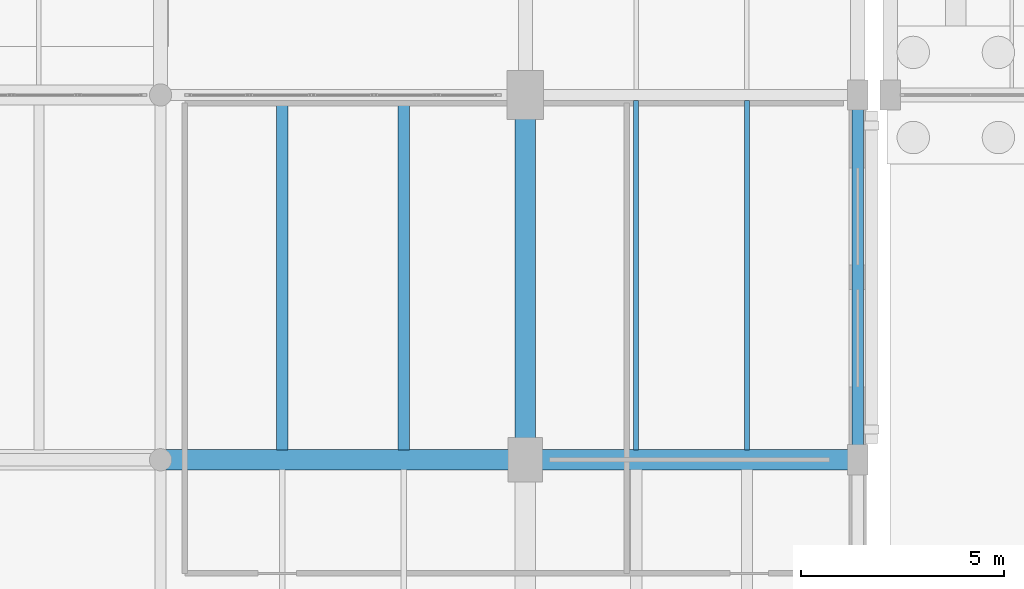
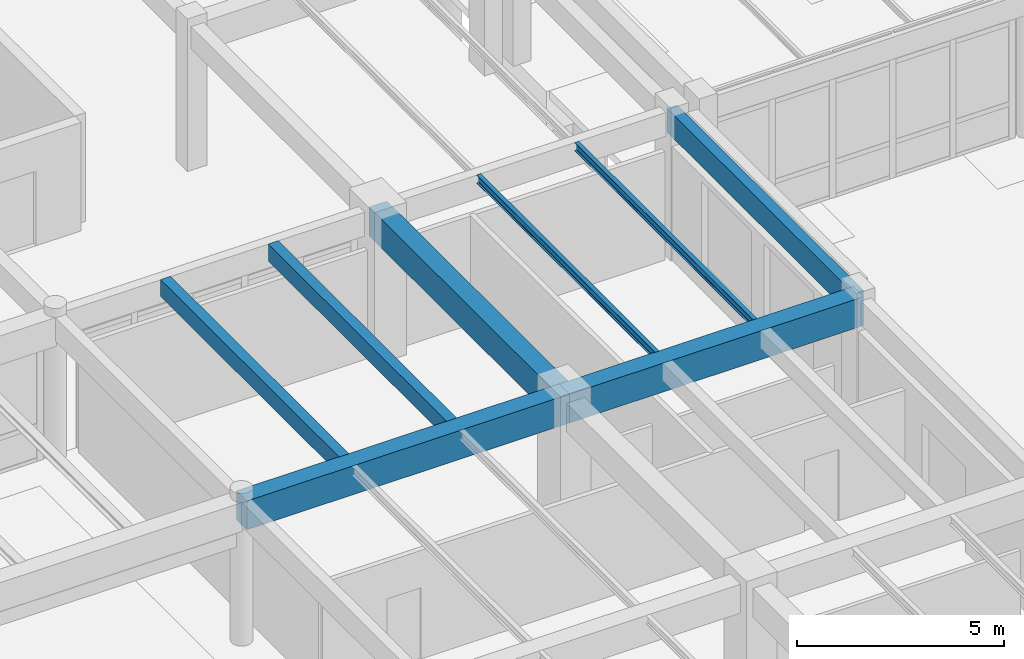
# One storey, part 88 of 186: 8 beams.
"""IFC4 building model written with IfcOpenShell, lengths in metres."""

from ifc_helpers import new_model, si_unit, direction, frame, origin, origin_2d, place, context, subcontext, project, spatial, rectangle, i_section, extrude, material, material_profile, profile_set, type_object, element, save


model = new_model("IFC4")

# Units and contexts
model_context = context("Model", 3, precision=1e-05, world=origin(), true_north=direction((0.0, 1.0)))
body_context = subcontext(model_context, "Body", "Model", "MODEL_VIEW")
ifc_project = project(units=[si_unit("LENGTHUNIT", "METRE"), si_unit("AREAUNIT", "SQUARE_METRE"), si_unit("VOLUMEUNIT", "CUBIC_METRE"), si_unit("PLANEANGLEUNIT", "RADIAN"), si_unit("MASSUNIT", "GRAM", prefix="KILO")], contexts=[model_context])

# Site, building, storey
site_placement = place(None, origin())
site = spatial("IfcSite", under=ifc_project, at=site_placement, CompositionType="ELEMENT")
building_placement = place(site_placement, origin())
building = spatial("IfcBuilding", under=site, at=building_placement, Name="Ornek Quay Market", CompositionType="ELEMENT")
storey_placement = place(building_placement, origin())
storey = spatial("IfcBuildingStorey", under=building, at=storey_placement, Name="L00", CompositionType="ELEMENT", Elevation=0.0)

# Beams
ifc_material_1 = material(Name="Concrete C40/50", Category="concrete")
ifc_material_profile_1 = material_profile(ifc_material_1, rectangle(XDim=0.5, YDim=0.85009765625, at=origin_2d()), Name="RC 500x850", Category="concrete")
ifc_profile_set_1 = profile_set([ifc_material_profile_1], Name="Concrete C40/50")
beam_type_1 = type_object("IfcBeamType", Name="BM-GAL-500x850", PredefinedType="BEAM", material=ifc_profile_set_1)
beam_1_placement = place(storey_placement, frame((108.0, 83.0, 3.81494140625), z_axis=(1.0, 0.0, 0.0), x_axis=(0.0, 1.0, 0.0)))
element("IfcBeam", 1, at=beam_1_placement, inside=storey, type_object=beam_type_1, Name="Primary beam B-GL1-038", PredefinedType="BEAM", context=body_context, shape_type="SweptSolid", body=[
    extrude(rectangle(XDim=0.5, YDim=0.85009765625, at=origin_2d()), origin(), (0.0, 0.0, 1.0), 9.0),
])
beam_2_placement = place(storey_placement, frame((117.0, 83.0, 3.81494140625), z_axis=(1.0, 0.0, 0.0), x_axis=(0.0, 1.0, 0.0)))
element("IfcBeam", 2, at=beam_2_placement, inside=storey, type_object=beam_type_1, Name="Primary beam B-GL1-039", PredefinedType="BEAM", context=body_context, shape_type="SweptSolid", body=[
    extrude(rectangle(XDim=0.5, YDim=0.85009765625, at=origin_2d()), origin(), (0.0, 0.0, 1.0), 8.199951171875),
])
beam_3_placement = place(storey_placement, frame((117.0, 83.0, 3.81494140625), z_axis=(0.0, 1.0, 0.0), x_axis=(-1.0, 0.0, 0.0)))
element("IfcBeam", 3, at=beam_3_placement, inside=storey, type_object=beam_type_1, Name="Primary beam B-GL1-046", PredefinedType="BEAM", context=body_context, shape_type="SweptSolid", body=[
    extrude(rectangle(XDim=0.5, YDim=0.85009765625, at=origin_2d()), origin(), (0.0, 0.0, 1.0), 9.0),
])
ifc_material_2 = material(Name="Concrete C35/45", Category="concrete")
ifc_material_profile_2 = material_profile(ifc_material_2, rectangle(XDim=0.280029296875, YDim=0.5, at=origin_2d()), Name="RC 280x500", Category="concrete")
ifc_profile_set_2 = profile_set([ifc_material_profile_2], Name="Concrete C35/45")
beam_type_2 = type_object("IfcBeamType", Name="BM-SEC-280x500", PredefinedType="JOIST", material=ifc_profile_set_2)
for number, where, z_axis, x_axis, name in (
    (4, (111.0, 83.241943359375, 3.989990234375), (0.0, 1.0, 0.0), (-1.0, 0.0, 0.0), "Secondary joist B-SC2-051"),
    (5, (114.0, 83.241943359375, 3.989990234375), (0.0, 1.0, 0.0), (-1.0, 0.0, 0.0), "Secondary joist B-SC2-052"),
):
    element("IfcBeam", number, at=place(storey_placement, frame(where, z_axis=z_axis, x_axis=x_axis)), inside=storey, type_object=beam_type_2, Name=name, PredefinedType="JOIST", context=body_context, shape_type="SweptSolid", body=[
        extrude(rectangle(XDim=0.280029296875, YDim=0.5, at=origin_2d()), origin(), (0.0, 0.0, 1.0), 8.6259765625),
    ])
ifc_material_profile_3 = material_profile(ifc_material_2, rectangle(XDim=0.280029296875, YDim=0.699951171875, at=origin_2d()), Name="RC 280x700", Category="concrete")
ifc_profile_set_3 = profile_set([ifc_material_profile_3], Name="Concrete C35/45")
beam_type_3 = type_object("IfcBeamType", Name="BM-SPN-280x700", PredefinedType="SPANDREL", material=ifc_profile_set_3)
beam_4_placement = place(storey_placement, frame((125.199951171875, 83.0, 3.889892578125), z_axis=(0.0, 1.0, 0.0), x_axis=(-1.0, 0.0, 0.0)))
element("IfcBeam", 6, at=beam_4_placement, inside=storey, type_object=beam_type_3, Name="Primary beam B-SP2-048", PredefinedType="SPANDREL", context=body_context, shape_type="SweptSolid", body=[
    extrude(rectangle(XDim=0.280029296875, YDim=0.699951171875, at=origin_2d()), origin(), (0.0, 0.0, 1.0), 9.0),
])
ifc_material_3 = material(Name="Steel S355", Category="steel")
ifc_material_profile_4 = material_profile(ifc_material_3, i_section(OverallWidth=0.1201171875, OverallDepth=0.239990234375, WebThickness=0.006103515625, FlangeThickness=0.009765625, FilletRadius=0.014892578125, at=origin_2d()), Name="IPE 240", Category="steel")
ifc_profile_set_4 = profile_set([ifc_material_profile_4], Name="Steel S355")
beam_type_4 = type_object("IfcBeamType", Name="BM-STL-IPE240", PredefinedType="JOIST", material=ifc_profile_set_4)
for number, where, z_axis, x_axis, name in (
    (7, (119.7333984375, 83.241943359375, 4.1201171875), (0.0, 1.0, 0.0), (-1.0, 0.0, 0.0), "Secondary joist SB-04-033"),
    (8, (122.466796875, 83.241943359375, 4.1201171875), (0.0, 1.0, 0.0), (-1.0, 0.0, 0.0), "Secondary joist SB-04-034"),
):
    element("IfcBeam", number, at=place(storey_placement, frame(where, z_axis=z_axis, x_axis=x_axis)), inside=storey, type_object=beam_type_4, Name=name, PredefinedType="JOIST", context=body_context, shape_type="SweptSolid", body=[
        extrude(i_section(OverallWidth=0.1201171875, OverallDepth=0.239990234375, WebThickness=0.006103515625, FlangeThickness=0.009765625, FilletRadius=0.014892578125, at=origin_2d()), origin(), (0.0, 0.0, 1.0), 8.6259765625),
    ])

save(model, "model.ifc")
